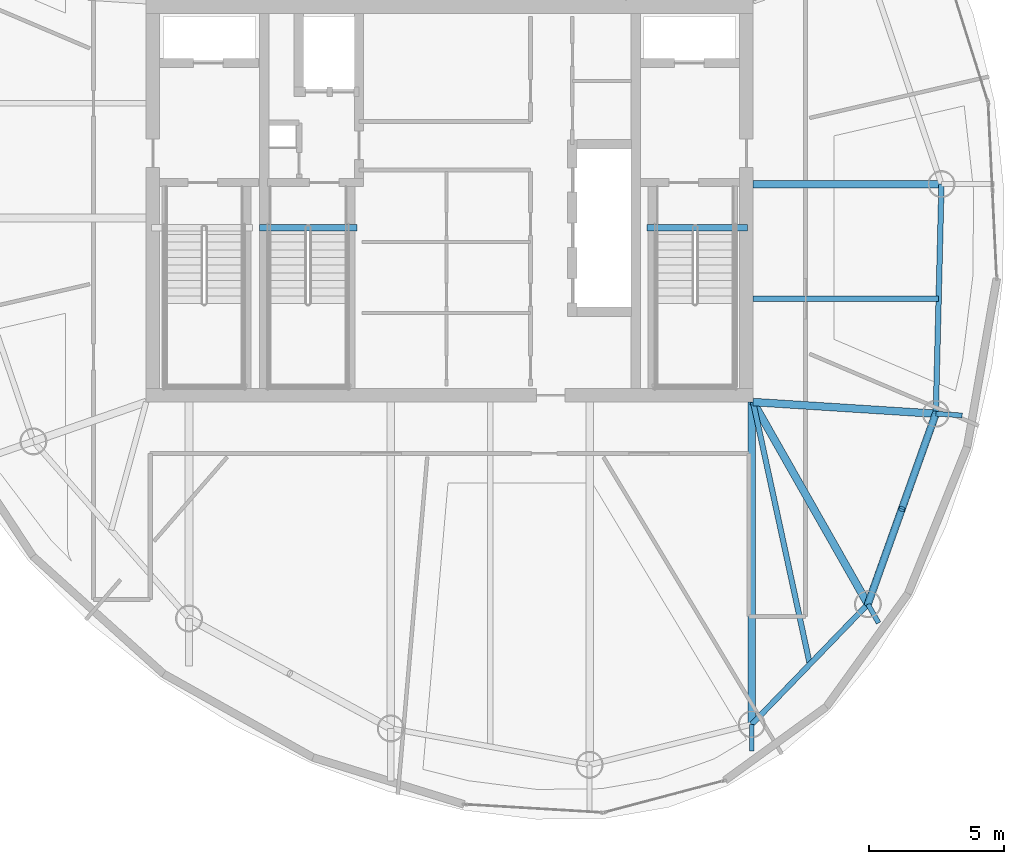
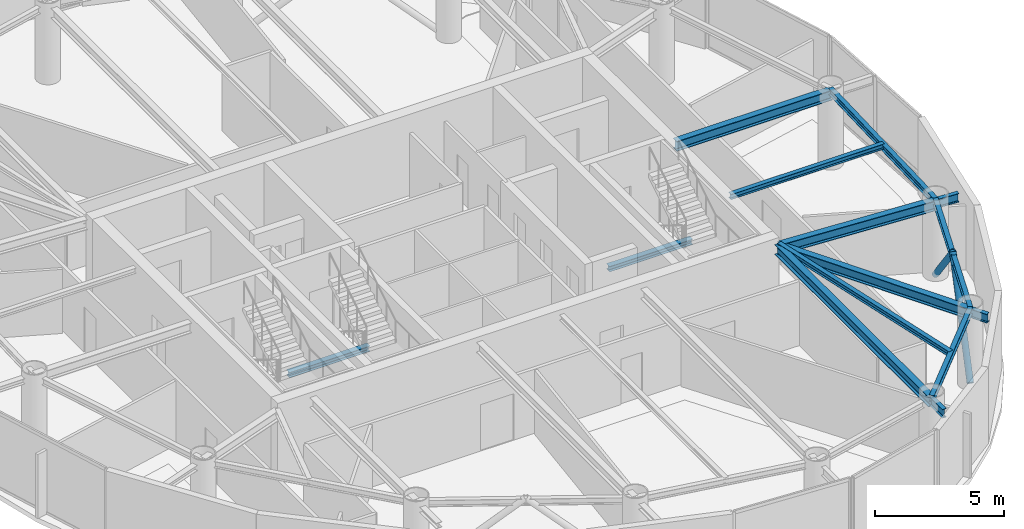
# One storey, part 6 of 19: 14 beams, 2 members.
"""IFC4 building model written with IfcOpenShell, lengths in metres."""

from ifc_helpers import new_model, si_unit, direction, frame, origin, origin_2d, place, context, subcontext, project, spatial, hollow_circle, i_section, extrude, material, material_profile, profile_set, type_object, element, save


model = new_model("IFC4")

# Units and contexts
model_context = context("Model", 3, precision=1e-05, world=origin(), true_north=direction((0.0, 1.0)))
body_context = subcontext(model_context, "Body", "Model", "MODEL_VIEW")
ifc_project = project(units=[si_unit("LENGTHUNIT", "METRE"), si_unit("AREAUNIT", "SQUARE_METRE"), si_unit("VOLUMEUNIT", "CUBIC_METRE"), si_unit("PLANEANGLEUNIT", "RADIAN"), si_unit("MASSUNIT", "GRAM", prefix="KILO")], contexts=[model_context])

# Site, building, storey
site_placement = place(None, origin())
site = spatial("IfcSite", under=ifc_project, at=site_placement, CompositionType="ELEMENT")
building_placement = place(site_placement, origin())
building = spatial("IfcBuilding", under=site, at=building_placement, Name="Bramvorn Convention Spire", CompositionType="ELEMENT")
storey_placement = place(building_placement, frame((0.0, 0.0, 292.10009765625)))
storey = spatial("IfcBuildingStorey", under=building, at=storey_placement, Name="L74", CompositionType="ELEMENT", Elevation=292.10009765625)

# Beams
ifc_material = material(Name="Steel CSA G40.21 Grade 350 (350W)", Category="steel")
ifc_material_profile_1 = material_profile(ifc_material, i_section(OverallWidth=0.201904296875, OverallDepth=0.2470703125, WebThickness=0.00732421875, FlangeThickness=0.010986328125, FilletRadius=0.011962890625, at=origin_2d()))
ifc_profile_set_1 = profile_set([ifc_material_profile_1], Name="Steel CSA G40.21 Grade 350 (350W) - W250X49")
beam_type_1 = type_object("IfcBeamType", Name="BM-W250X49", PredefinedType="JOIST", material=ifc_profile_set_1)
beam_1_placement = place(storey_placement, frame((49.25, 18.550048828125, 3.50146484375), z_axis=(0.211461445939, -0.977386339623, 0.0), x_axis=(0.977386339623, 0.211461445939, 0.0)))
element("IfcBeam", 1, at=beam_1_placement, inside=storey, type_object=beam_type_1, Name="L74 composite floor joist 01", PredefinedType="JOIST", context=body_context, shape_type="SweptSolid", body=[
    extrude(i_section(OverallWidth=0.201904296875, OverallDepth=0.2470703125, WebThickness=0.00732421875, FlangeThickness=0.010986328125, FilletRadius=0.011962890625, at=origin_2d()), origin(), (0.0, 0.0, 1.0), 9.9462890625),
])
beam_2_placement = place(storey_placement, frame((49.25, 22.373046875, 3.50146484375), z_axis=(1.0, 0.0, 0.0), x_axis=(0.0, 1.0, 0.0)))
element("IfcBeam", 2, at=beam_2_placement, inside=storey, type_object=beam_type_1, Name="L74 composite floor joist 03", PredefinedType="JOIST", context=body_context, shape_type="SweptSolid", body=[
    extrude(i_section(OverallWidth=0.201904296875, OverallDepth=0.2470703125, WebThickness=0.00732421875, FlangeThickness=0.010986328125, FilletRadius=0.011962890625, at=origin_2d()), origin(), (0.0, 0.0, 1.0), 6.879150390625),
])
ifc_material_profile_2 = material_profile(ifc_material, i_section(OverallWidth=0.25390625, OverallDepth=0.2529296875, WebThickness=0.008544921875, FlangeThickness=0.01416015625, FilletRadius=0.011962890625, at=origin_2d()))
ifc_profile_set_2 = profile_set([ifc_material_profile_2], Name="Steel CSA G40.21 Grade 350 (350W) - W250X73")
beam_type_2 = type_object("IfcBeamType", Name="BM-W250X73", PredefinedType="BEAM", material=ifc_profile_set_2)
beam_3_placement = place(storey_placement, frame((45.31005859375, 25.010009765625, -0.126708984375), z_axis=(1.0, 0.0, 0.0), x_axis=(0.0, 1.0, 0.0)))
element("IfcBeam", 3, at=beam_3_placement, inside=storey, type_object=beam_type_2, Name="L74 ST2 stair arrival header beam", PredefinedType="BEAM", context=body_context, shape_type="SweptSolid", body=[
    extrude(i_section(OverallWidth=0.25390625, OverallDepth=0.2529296875, WebThickness=0.008544921875, FlangeThickness=0.01416015625, FilletRadius=0.011962890625, at=origin_2d()), origin(), (0.0, 0.0, 1.0), 3.739990234375),
])
beam_4_placement = place(storey_placement, frame((30.949951171875, 25.010009765625, -0.126708984375), z_axis=(1.0, 0.0, 0.0), x_axis=(0.0, 1.0, 0.0)))
element("IfcBeam", 4, at=beam_4_placement, inside=storey, type_object=beam_type_2, Name="L74 ST3 stair arrival header beam", PredefinedType="BEAM", context=body_context, shape_type="SweptSolid", body=[
    extrude(i_section(OverallWidth=0.25390625, OverallDepth=0.2529296875, WebThickness=0.008544921875, FlangeThickness=0.01416015625, FilletRadius=0.011962890625, at=origin_2d()), origin(), (0.0, 0.0, 1.0), 3.610107421875),
])
ifc_material_profile_3 = material_profile(ifc_material, i_section(OverallWidth=0.202880859375, OverallDepth=0.302978515625, WebThickness=0.007568359375, FlangeThickness=0.01318359375, FilletRadius=0.013916015625, at=origin_2d()))
ifc_profile_set_3 = profile_set([ifc_material_profile_3], Name="Steel CSA G40.21 Grade 350 (350W) - W310X60")
beam_type_3 = type_object("IfcBeamType", Name="BM-W310X60", PredefinedType="JOIST", material=ifc_profile_set_3)
beam_5_placement = place(storey_placement, frame((49.199951171875, 6.60107421875, 3.473388671875), z_axis=(0.695007159797, 0.719002814898, 0.0), x_axis=(-0.719002814898, 0.695007159797, 0.0)))
element("IfcBeam", 5, at=beam_5_placement, inside=storey, type_object=beam_type_3, Name="L74 mega-column ring beam 01", PredefinedType="JOIST", context=body_context, shape_type="SweptSolid", body=[
    extrude(i_section(OverallWidth=0.202880859375, OverallDepth=0.302978515625, WebThickness=0.007568359375, FlangeThickness=0.01318359375, FilletRadius=0.013916015625, at=origin_2d()), origin(), (0.0, 0.0, 1.0), 6.1962890625),
])
beam_6_placement = place(storey_placement, frame((53.50634765625, 11.05615234375, 3.473388671875), z_axis=(0.335839090413, 0.941919373063, 0.0), x_axis=(-0.941919373063, 0.335839090413, 0.0)))
element("IfcBeam", 6, at=beam_6_placement, inside=storey, type_object=beam_type_3, Name="L74 mega-column ring beam 02", PredefinedType="JOIST", context=body_context, shape_type="SweptSolid", body=[
    extrude(i_section(OverallWidth=0.202880859375, OverallDepth=0.302978515625, WebThickness=0.007568359375, FlangeThickness=0.01318359375, FilletRadius=0.013916015625, at=origin_2d()), origin(), (0.0, 0.0, 1.0), 7.49560546875),
])
beam_7_placement = place(storey_placement, frame((56.023681640625, 18.116455078125, 3.473388671875), z_axis=(0.024770853371, 0.999693155335, 0.0), x_axis=(-0.999693155335, 0.024770853371, 0.0)))
element("IfcBeam", 7, at=beam_7_placement, inside=storey, type_object=beam_type_3, Name="L74 mega-column ring beam 03", PredefinedType="JOIST", context=body_context, shape_type="SweptSolid", body=[
    extrude(i_section(OverallWidth=0.202880859375, OverallDepth=0.302978515625, WebThickness=0.007568359375, FlangeThickness=0.01318359375, FilletRadius=0.013916015625, at=origin_2d()), origin(), (0.0, 0.0, 1.0), 8.515625),
])
ifc_material_profile_4 = material_profile(ifc_material, i_section(OverallWidth=0.180908203125, OverallDepth=0.4169921875, WebThickness=0.010986328125, FlangeThickness=0.018310546875, FilletRadius=0.01611328125, at=origin_2d()))
ifc_profile_set_4 = profile_set([ifc_material_profile_4], Name="Steel CSA G40.21 Grade 350 (350W) - W410X85")
beam_type_4 = type_object("IfcBeamType", Name="BM-W410X85", PredefinedType="JOIST", material=ifc_profile_set_4)
beam_8_placement = place(storey_placement, frame((49.199951171875, 6.60107421875, 3.37646484375), z_axis=(0.0, -1.0, 0.0), x_axis=(1.0, 0.0, 0.0)))
element("IfcBeam", 8, at=beam_8_placement, inside=storey, type_object=beam_type_4, Name="L74 Sky-Garden cantilever tip girder MC01", PredefinedType="JOIST", context=body_context, shape_type="SweptSolid", body=[
    extrude(i_section(OverallWidth=0.180908203125, OverallDepth=0.4169921875, WebThickness=0.010986328125, FlangeThickness=0.018310546875, FilletRadius=0.01611328125, at=origin_2d()), origin(), (0.0, 0.0, 1.0), 0.9970703125),
])
beam_9_placement = place(storey_placement, frame((53.50634765625, 11.05615234375, 3.37646484375), z_axis=(0.494067079829, -0.869423786556, 0.0), x_axis=(0.869423786556, 0.494067079829, 0.0)))
element("IfcBeam", 9, at=beam_9_placement, inside=storey, type_object=beam_type_4, Name="L74 Sky-Garden cantilever tip girder MC02", PredefinedType="JOIST", context=body_context, shape_type="SweptSolid", body=[
    extrude(i_section(OverallWidth=0.180908203125, OverallDepth=0.4169921875, WebThickness=0.010986328125, FlangeThickness=0.018310546875, FilletRadius=0.01611328125, at=origin_2d()), origin(), (0.0, 0.0, 1.0), 0.800048828125),
])
beam_10_placement = place(storey_placement, frame((56.023681640625, 18.116455078125, 3.37646484375), z_axis=(0.997965375661, -0.06375820718, 0.0), x_axis=(0.06375820718, 0.997965375661, 0.0)))
element("IfcBeam", 10, at=beam_10_placement, inside=storey, type_object=beam_type_4, Name="L74 Sky-Garden cantilever tip girder MC03", PredefinedType="JOIST", context=body_context, shape_type="SweptSolid", body=[
    extrude(i_section(OverallWidth=0.180908203125, OverallDepth=0.4169921875, WebThickness=0.010986328125, FlangeThickness=0.018310546875, FilletRadius=0.01611328125, at=origin_2d()), origin(), (0.0, 0.0, 1.0), 0.980224609375),
])
ifc_material_profile_5 = material_profile(ifc_material, i_section(OverallWidth=0.283935546875, OverallDepth=0.47607421875, WebThickness=0.014892578125, FlangeThickness=0.02392578125, FilletRadius=0.01806640625, at=origin_2d()))
ifc_profile_set_5 = profile_set([ifc_material_profile_5], Name="Steel CSA G40.21 Grade 350 (350W) - W460X158")
beam_type_5 = type_object("IfcBeamType", Name="BM-W460X158", PredefinedType="SPANDREL", material=ifc_profile_set_5)
beam_11_placement = place(storey_placement, frame((49.199951171875, 18.550048828125, 3.346923828125), z_axis=(0.0, -1.0, 0.0), x_axis=(1.0, 0.0, 0.0)))
element("IfcBeam", 11, at=beam_11_placement, inside=storey, type_object=beam_type_5, Name="L74 Sky-Garden back-span radial girder MC01", PredefinedType="SPANDREL", context=body_context, shape_type="SweptSolid", body=[
    extrude(i_section(OverallWidth=0.283935546875, OverallDepth=0.47607421875, WebThickness=0.014892578125, FlangeThickness=0.02392578125, FilletRadius=0.01806640625, at=origin_2d()), origin(), (0.0, 0.0, 1.0), 11.948974609375),
])
beam_12_placement = place(storey_placement, frame((49.25, 18.550048828125, 3.346923828125), z_axis=(0.493873612118, -0.869533699895, 0.0), x_axis=(0.869533699895, 0.493873612118, 0.0)))
element("IfcBeam", 12, at=beam_12_placement, inside=storey, type_object=beam_type_5, Name="L74 Sky-Garden back-span radial girder MC02", PredefinedType="SPANDREL", context=body_context, shape_type="SweptSolid", body=[
    extrude(i_section(OverallWidth=0.283935546875, OverallDepth=0.47607421875, WebThickness=0.014892578125, FlangeThickness=0.02392578125, FilletRadius=0.01806640625, at=origin_2d()), origin(), (0.0, 0.0, 1.0), 8.618408203125),
])
beam_13_placement = place(storey_placement, frame((49.25, 18.550048828125, 3.346923828125), z_axis=(0.997957536354, -0.063880792379, 0.0), x_axis=(0.063880792379, 0.997957536354, 0.0)))
element("IfcBeam", 13, at=beam_13_placement, inside=storey, type_object=beam_type_5, Name="L74 Sky-Garden back-span radial girder MC03", PredefinedType="SPANDREL", context=body_context, shape_type="SweptSolid", body=[
    extrude(i_section(OverallWidth=0.283935546875, OverallDepth=0.47607421875, WebThickness=0.014892578125, FlangeThickness=0.02392578125, FilletRadius=0.01806640625, at=origin_2d()), origin(), (0.0, 0.0, 1.0), 6.78759765625),
])
beam_14_placement = place(storey_placement, frame((49.25, 26.62939453125, 3.346923828125), z_axis=(1.0, 0.0, 0.0), x_axis=(0.0, 1.0, 0.0)))
element("IfcBeam", 14, at=beam_14_placement, inside=storey, type_object=beam_type_5, Name="L74 Sky-Garden back-span radial girder MC04", PredefinedType="SPANDREL", context=body_context, shape_type="SweptSolid", body=[
    extrude(i_section(OverallWidth=0.283935546875, OverallDepth=0.47607421875, WebThickness=0.014892578125, FlangeThickness=0.02392578125, FilletRadius=0.01806640625, at=origin_2d()), origin(), (0.0, 0.0, 1.0), 6.984619140625),
])

# Members
ifc_material_profile_6 = material_profile(ifc_material, hollow_circle(Radius=0.136474609375, WallThickness=0.0126953125, at=origin_2d()))
ifc_profile_set_6 = profile_set([ifc_material_profile_6], Name="Steel CSA G40.21 Grade 350 (350W) - CHS273X13")
member_type = type_object("IfcMemberType", Name="MBR-CHS273X13", PredefinedType="BRACE", material=ifc_profile_set_6)
member_1_placement = place(storey_placement, frame((53.50634765625, 11.05615234375, 0.0), z_axis=(0.241415019829, 0.677048329465, 0.695215324751), x_axis=(-0.941912743486, 0.335857683639, 0.0)))
element("IfcMember", 15, at=member_1_placement, inside=storey, type_object=member_type, Name="L74 perimeter Gothic lancet brace 2A", PredefinedType="BRACE", context=body_context, shape_type="SweptSolid", body=[
    extrude(hollow_circle(Radius=0.136474609375, WallThickness=0.0126953125, at=origin_2d()), origin(), (0.0, 0.0, 1.0), 5.214111328125),
])
member_2_placement = place(storey_placement, frame((56.023681640625, 18.116455078125, 0.0), z_axis=(-0.241378577718, -0.677030621771, 0.695245222495), x_axis=(0.941926002824, -0.335820495509, 0.0)))
element("IfcMember", 16, at=member_2_placement, inside=storey, type_object=member_type, Name="L74 perimeter Gothic lancet brace 2B", PredefinedType="BRACE", context=body_context, shape_type="SweptSolid", body=[
    extrude(hollow_circle(Radius=0.136474609375, WallThickness=0.0126953125, at=origin_2d()), origin(), (0.0, 0.0, 1.0), 5.2138671875),
])

save(model, "model.ifc")
